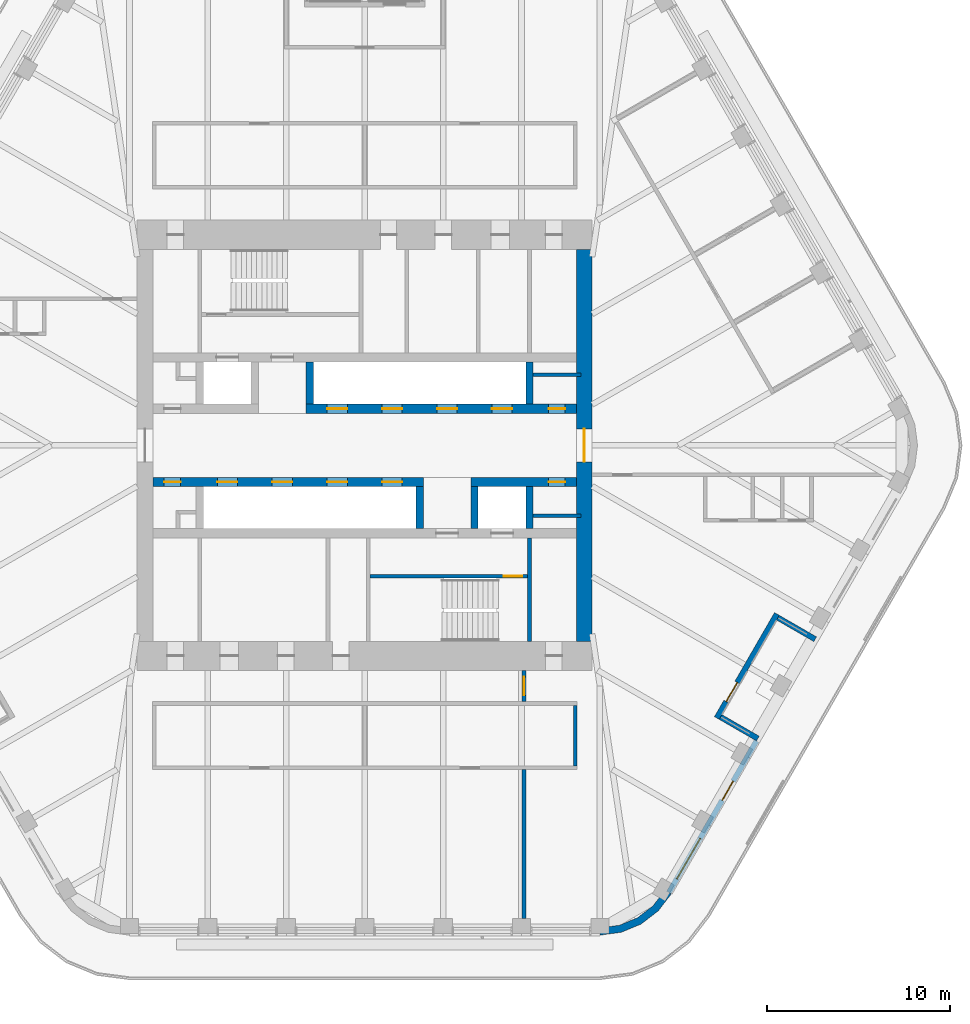
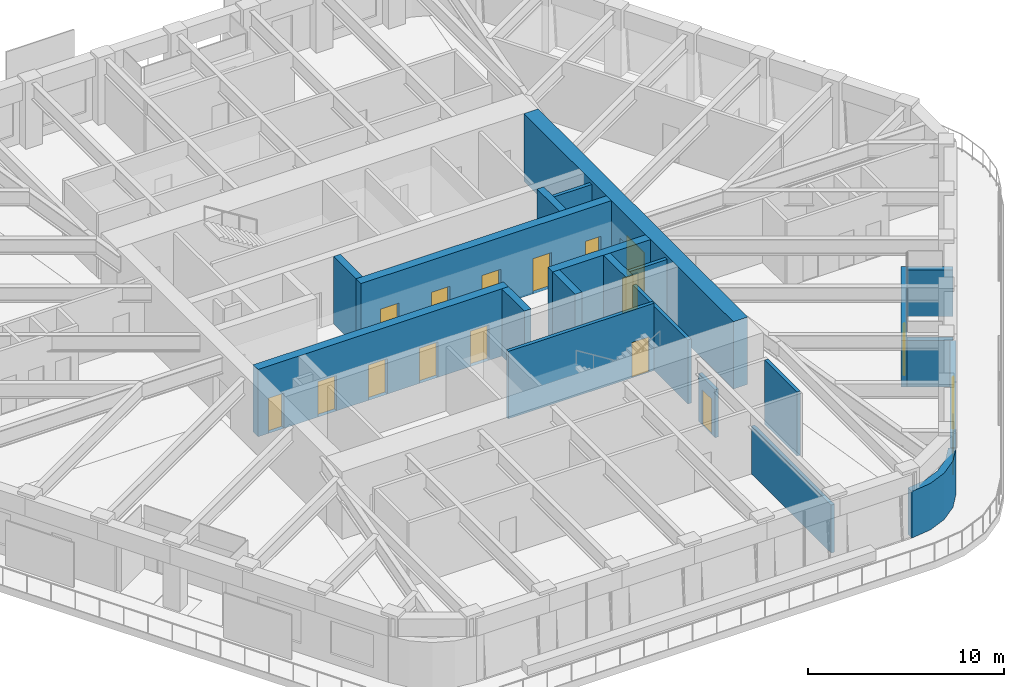
# One storey, part 14 of 19: 21 walls, 16 doors, 1 window, 17 openings.
"""IFC4 building model written with IfcOpenShell, lengths in metres."""

from ifc_helpers import new_model, si_unit, direction, frame, frame_2d, origin, place, context, subcontext, project, spatial, polyline, rectangle, outline, extrude, material, layer, layer_set, type_object, element, fill, save


model = new_model("IFC4")

# Units and contexts
model_context = context("Model", 3, precision=1e-05, world=origin(), true_north=direction((0.0, 1.0)))
body_context = subcontext(model_context, "Body", "Model", "MODEL_VIEW")
ifc_project = project(units=[si_unit("LENGTHUNIT", "METRE"), si_unit("AREAUNIT", "SQUARE_METRE"), si_unit("VOLUMEUNIT", "CUBIC_METRE"), si_unit("PLANEANGLEUNIT", "RADIAN"), si_unit("MASSUNIT", "GRAM", prefix="KILO")], contexts=[model_context])

# Site, building, storey
site_placement = place(None, origin())
site = spatial("IfcSite", under=ifc_project, at=site_placement, CompositionType="ELEMENT")
building_placement = place(site_placement, origin())
building = spatial("IfcBuilding", under=site, at=building_placement, Name="Tarfa Lantern Tower", CompositionType="ELEMENT")
storey_placement = place(building_placement, frame((0.0, 0.0, 340.89990234375)))
storey = spatial("IfcBuildingStorey", under=building, at=storey_placement, Name="L77", CompositionType="ELEMENT", Elevation=340.89990234375)

# Wall, openings, door, window
ifc_material_1 = material(Name="Limestone cladding on blockwork", Category="masonry")
ifc_layer_1 = layer(ifc_material_1, 0.300048828125)
ifc_layer_set_1 = layer_set([ifc_layer_1], Name="EW1 STONE-CLAD WALL 300")
wall_type_1 = type_object("IfcWallType", Name="EW1 STONE-CLAD WALL 300", PredefinedType="SOLIDWALL", material=ifc_layer_set_1)
wall_1_placement = place(storey_placement, frame((16.61328125, -24.425048828125, 0.0), z_axis=(0.0, 0.0, 1.0), x_axis=(0.499996453679, 0.866027451244, 0.0)))
wall_1 = element("IfcWall", 1, at=wall_1_placement, inside=storey, type_object=wall_type_1, Name="Stone wall SE", PredefinedType="SOLIDWALL", context=body_context, shape_type="SweptSolid", body=[
    extrude(rectangle(XDim=9.56396484375, YDim=0.300048828125, at=frame_2d((4.781982421875, 0.0))), origin(), (0.0, 0.0, 1.0), 2.900146484375),
])
opening_1_placement = place(wall_1_placement, frame((0.865966796875, 0.0, 0.60009765625)))
opening_1 = element("IfcOpeningElement", 2, at=opening_1_placement, cuts=wall_1, Name="Opening W17", PredefinedType="OPENING", context=body_context, shape_type="SweptSolid", body=[
    extrude(rectangle(XDim=2.550048828125, YDim=2.050048828125, at=frame_2d((1.27490234375, 1.02490234375))), frame((0.0, 0.159912109375, 0.0), z_axis=(0.0, -1.0, 0.0), x_axis=(1.0, 0.0, 0.0)), (0.0, 0.0, 1.0), 0.320068359375),
])
opening_2_placement = place(wall_1_placement, frame((5.822998046875, 0.0, 0.0)))
opening_2 = element("IfcOpeningElement", 3, at=opening_2_placement, cuts=wall_1, Name="Opening D40", PredefinedType="OPENING", context=body_context, shape_type="SweptSolid", body=[
    extrude(rectangle(XDim=1.199951171875, YDim=2.39990234375, at=frame_2d((0.60009765625, 1.199951171875))), frame((0.0, 0.159912109375, 0.0), z_axis=(0.0, -1.0, 0.0), x_axis=(1.0, 0.0, 0.0)), (0.0, 0.0, 1.0), 0.320068359375),
])
ifc_material_2 = material(Name="Aluminium framed glazed door", Category="aluminium")
door_type_1 = type_object("IfcDoorType", Name="BE3 BALCONY DOOR 1200x2400", OperationType="SINGLE_SWING_RIGHT", PredefinedType="DOOR", material=ifc_material_2)
door_1_placement = place(opening_2_placement, origin())
door_1 = element("IfcDoor", 4, at=door_1_placement, inside=storey, type_object=door_type_1, Name="Balcony door SE", OperationType="SINGLE_SWING_LEFT", OverallHeight=2.39990234375, OverallWidth=1.199951171875, PredefinedType="DOOR", context=body_context, shape_type="SweptSolid", body=[
    extrude(rectangle(XDim=1.199951171875, YDim=2.39990234375, at=frame_2d((0.60009765625, 1.199951171875))), frame((0.0, 0.02490234375, 0.0), z_axis=(0.0, -1.0, 0.0), x_axis=(1.0, 0.0, 0.0)), (0.0, 0.0, 1.0), 0.050048828125),
])
fill(opening_2, door_1)
ifc_material_3 = material(Name="Aluminium frame, double glazed", Category="aluminium")
window_type = type_object("IfcWindowType", Name="W17 FULL-HEIGHT GLAZING 2550x2050", PartitioningType="SINGLE_PANEL", PredefinedType="WINDOW", material=ifc_material_3)
window_placement = place(opening_1_placement, origin())
window = element("IfcWindow", 5, at=window_placement, inside=storey, type_object=window_type, Name="Window SE 1", OverallHeight=2.050048828125, OverallWidth=2.550048828125, PartitioningType="SINGLE_PANEL", PredefinedType="WINDOW", context=body_context, shape_type="SweptSolid", body=[
    extrude(rectangle(XDim=2.550048828125, YDim=2.050048828125, at=frame_2d((1.27490234375, 1.02490234375))), frame((0.0, 0.030029296875, 0.0), z_axis=(0.0, -1.0, 0.0), x_axis=(1.0, 0.0, 0.0)), (0.0, 0.0, 1.0), 0.06005859375),
])
fill(opening_1, window)

# Walls
for number, where, z_axis, x_axis, name in (
    (6, (21.47021484375, -16.012451171875, 0.0), (0.0, 0.0, 1.0), (-0.866016039709, 0.500016218704, 0.0), "Terrace return SE 1"),
    (7, (24.602294921875, -10.587646484375, 0.0), (0.0, 0.0, 1.0), (-0.866016039709, 0.500016218704, 0.0), "Terrace return SE 2"),
):
    element("IfcWall", number, at=place(storey_placement, frame(where, z_axis=z_axis, x_axis=x_axis)), inside=storey, type_object=wall_type_1, Name=name, PredefinedType="SOLIDWALL", context=body_context, shape_type="SweptSolid", body=[
        extrude(rectangle(XDim=2.35009765625, YDim=0.300048828125, at=frame_2d((1.175048828125, 0.0))), origin(), (0.0, 0.0, 1.0), 2.900146484375),
    ])

# Wall, opening, door
wall_2_placement = place(storey_placement, frame((19.230224609375, -14.892333984375, 0.0), z_axis=(0.0, 0.0, 1.0), x_axis=(0.499999339774, 0.866025784966, 0.0)))
wall_2 = element("IfcWall", 8, at=wall_2_placement, inside=storey, type_object=wall_type_1, Name="Stone wall SES", PredefinedType="SOLIDWALL", context=body_context, shape_type="SweptSolid", body=[
    extrude(rectangle(XDim=6.56396484375, YDim=0.300048828125, at=frame_2d((3.281982421875, 0.0))), origin(), (0.0, 0.0, 1.0), 2.900146484375),
])
opening_3_placement = place(wall_2_placement, frame((1.041015625, 0.0, 0.0)))
opening_3 = element("IfcOpeningElement", 9, at=opening_3_placement, cuts=wall_2, Name="Opening D41", PredefinedType="OPENING", context=body_context, shape_type="SweptSolid", body=[
    extrude(rectangle(XDim=1.199951171875, YDim=2.39990234375, at=frame_2d((0.60009765625, 1.199951171875))), frame((0.0, 0.159912109375, 0.0), z_axis=(0.0, -1.0, 0.0), x_axis=(1.0, 0.0, 0.0)), (0.0, 0.0, 1.0), 0.320068359375),
])
door_2_placement = place(opening_3_placement, origin())
door_2 = element("IfcDoor", 10, at=door_2_placement, inside=storey, type_object=door_type_1, Name="Balcony door SES", OperationType="SINGLE_SWING_RIGHT", OverallHeight=2.39990234375, OverallWidth=1.199951171875, PredefinedType="DOOR", context=body_context, shape_type="SweptSolid", body=[
    extrude(rectangle(XDim=1.199951171875, YDim=2.39990234375, at=frame_2d((0.60009765625, 1.199951171875))), frame((0.0, 0.02490234375, 0.0), z_axis=(0.0, -1.0, 0.0), x_axis=(1.0, 0.0, 0.0)), (0.0, 0.0, 1.0), 0.050048828125),
])
fill(opening_3, door_2)

# Walls
ifc_layer_2 = layer(ifc_material_1, 0.39990234375)
ifc_layer_set_2 = layer_set([ifc_layer_2], Name="EW2 CURVED STONE CORNER 400")
wall_type_2 = type_object("IfcWallType", Name="EW2 CURVED STONE CORNER 400", PredefinedType="SOLIDWALL", material=ifc_layer_set_2)
wall_3_placement = place(storey_placement, origin())
element("IfcWall", 11, at=wall_3_placement, inside=storey, type_object=wall_type_2, Name="Stone corner S-SE", PredefinedType="SOLIDWALL", context=body_context, shape_type="SweptSolid", body=[
    extrude(outline(polyline([(12.845947265625, -26.75), (14.0107421875, -26.5966796875), (15.095947265625, -26.147216796875), (16.028076171875, -25.431884765625), (16.7431640625, -24.5), (16.396728515625, -24.300048828125), (15.7451171875, -25.149169921875), (14.89599609375, -25.80078125), (13.9072265625, -26.210205078125), (12.845947265625, -26.35009765625), (12.845947265625, -26.75)])), origin(), (0.0, 0.0, 1.0), 2.900146484375),
])
ifc_material_4 = material(Name="Concrete blockwork", Category="masonry")
ifc_layer_3 = layer(ifc_material_4, 0.199951171875)
ifc_layer_set_3 = layer_set([ifc_layer_3], Name="IW1 BLOCKWORK PARTITION 200 EI 120")
wall_type_3 = type_object("IfcWallType", Name="IW1 BLOCKWORK PARTITION 200 EI 120", PredefinedType="PARTITIONING", material=ifc_layer_set_3)
wall_4_placement = place(storey_placement, frame((9.0, -5.050048828125, 0.0), z_axis=(0.0, 0.0, 1.0), x_axis=(0.0, -1.0, 0.0)))
element("IfcWall", 12, at=wall_4_placement, inside=storey, type_object=wall_type_3, Name="Core partition", PredefinedType="PARTITIONING", context=body_context, shape_type="SweptSolid", body=[
    extrude(rectangle(XDim=5.64990234375, YDim=0.199951171875, at=frame_2d((2.824951171875, 0.0))), origin(), (0.0, 0.0, 1.0), 4.0),
])
for number, where, z_axis, x_axis, name in (
    (13, (9.199951171875, 3.85009765625, 0.0), (0.0, 0.0, 1.0), (1.0, 0.0, 0.0), "Core partition"),
    (14, (11.800048828125, -3.85009765625, 0.0), (0.0, 0.0, 1.0), (-1.0, 0.0, 0.0), "Core partition"),
):
    element("IfcWall", number, at=place(storey_placement, frame(where, z_axis=z_axis, x_axis=x_axis)), inside=storey, type_object=wall_type_3, Name=name, PredefinedType="PARTITIONING", context=body_context, shape_type="SweptSolid", body=[
        extrude(rectangle(XDim=2.60009765625, YDim=0.199951171875, at=frame_2d((1.300048828125, 0.0))), origin(), (0.0, 0.0, 1.0), 4.0),
    ])
ifc_material_5 = material(Name="Gypsum board on steel studs", Category="steel")
ifc_layer_4 = layer(ifc_material_5, 0.2099609375)
ifc_layer_set_4 = layer_set([ifc_layer_4], Name="IW2 ACOUSTIC PARTITION 200")
wall_type_4 = type_object("IfcWallType", Name="IW2 ACOUSTIC PARTITION 200", PredefinedType="PARTITIONING", material=ifc_layer_set_4)
wall_5_placement = place(storey_placement, frame((11.5, -14.199951171875, 0.0), z_axis=(0.0, 0.0, 1.0), x_axis=(0.0, -1.0, 0.0)))
element("IfcWall", 15, at=wall_5_placement, inside=storey, type_object=wall_type_4, Name="Partition", PredefinedType="PARTITIONING", context=body_context, shape_type="SweptSolid", body=[
    extrude(rectangle(XDim=3.300048828125, YDim=0.199951171875, at=frame_2d((1.64990234375, 0.0))), origin(), (0.0, 0.0, 1.0), 4.0),
])

# Wall, opening, door
wall_6_placement = place(storey_placement, frame((8.699951171875, -12.300048828125, 0.0), z_axis=(0.0, 0.0, 1.0), x_axis=(0.0, -1.0, 0.0)))
wall_6 = element("IfcWall", 16, at=wall_6_placement, inside=storey, type_object=wall_type_4, Name="Partition", PredefinedType="PARTITIONING", context=body_context, shape_type="SweptSolid", body=[
    extrude(rectangle(XDim=1.699951171875, YDim=0.199951171875, at=frame_2d((0.85009765625, 0.0))), origin(), (0.0, 0.0, 1.0), 2.991943359375),
])
opening_4_placement = place(wall_6_placement, frame((0.35009765625, 0.0, 0.0)))
opening_4 = element("IfcOpeningElement", 17, at=opening_4_placement, cuts=wall_6, Name="Opening D36", PredefinedType="OPENING", context=body_context, shape_type="SweptSolid", body=[
    extrude(rectangle(XDim=1.0, YDim=2.199951171875, at=frame_2d((0.5, 1.10009765625))), frame((0.0, 0.10986328125, 0.0), z_axis=(0.0, -1.0, 0.0), x_axis=(1.0, 0.0, 0.0)), (0.0, 0.0, 1.0), 0.219970703125),
])
ifc_material_6 = material(Name="Timber door", Category="wood")
door_type_2 = type_object("IfcDoorType", Name="DR1 ROOM DOOR 1000x2200", OperationType="SINGLE_SWING_LEFT", PredefinedType="DOOR", material=ifc_material_6)
door_3_placement = place(opening_4_placement, origin())
door_3 = element("IfcDoor", 18, at=door_3_placement, inside=storey, type_object=door_type_2, Name="Zone door", OperationType="SINGLE_SWING_LEFT", OverallHeight=2.199951171875, OverallWidth=1.0, PredefinedType="DOOR", context=body_context, shape_type="SweptSolid", body=[
    extrude(rectangle(XDim=1.0, YDim=2.199951171875, at=frame_2d((0.5, 1.10009765625))), frame((0.0, 0.02490234375, 0.0), z_axis=(0.0, -1.0, 0.0), x_axis=(1.0, 0.0, 0.0)), (0.0, 0.0, 1.0), 0.050048828125),
])
fill(opening_4, door_3)

# Wall
wall_7_placement = place(storey_placement, frame((8.699951171875, -17.699951171875, 0.0), z_axis=(0.0, 0.0, 1.0), x_axis=(0.0, -1.0, 0.0)))
element("IfcWall", 19, at=wall_7_placement, inside=storey, type_object=wall_type_4, Name="Partition", PredefinedType="PARTITIONING", context=body_context, shape_type="SweptSolid", body=[
    extrude(rectangle(XDim=8.150146484375, YDim=0.199951171875, at=frame_2d((4.0751953125, 0.0))), origin(), (0.0, 0.0, 1.0), 2.991943359375),
])

# Wall, opening, door
ifc_material_7 = material(Name="Concrete C80/95", Category="concrete")
ifc_layer_5 = layer(ifc_material_7, 0.199951171875)
ifc_layer_set_5 = layer_set([ifc_layer_5], Name="SW12 CORE WALL 200")
wall_type_5 = type_object("IfcWallType", Name="SW12 CORE WALL 200", PredefinedType="SHEAR", material=ifc_layer_set_5)
wall_8_placement = place(storey_placement, frame((8.89990234375, -7.14990234375, 0.0), z_axis=(0.0, 0.0, 1.0), x_axis=(-1.0, 0.0, 0.0)))
wall_8 = element("IfcWall", 20, at=wall_8_placement, inside=storey, type_object=wall_type_5, Name="Core wall stair partition S", PredefinedType="SHEAR", context=body_context, shape_type="SweptSolid", body=[
    extrude(rectangle(XDim=8.599853515625, YDim=0.199951171875, at=frame_2d((4.2998046875, 0.0))), origin(), (0.0, 0.0, 1.0), 4.2001953125),
])
opening_5_placement = place(wall_8_placement, frame((0.300048828125, 0.0, 0.0)))
opening_5 = element("IfcOpeningElement", 21, at=opening_5_placement, cuts=wall_8, Name="Opening D20", PredefinedType="OPENING", context=body_context, shape_type="SweptSolid", body=[
    extrude(rectangle(XDim=1.0, YDim=2.199951171875, at=frame_2d((0.5, 1.10009765625))), frame((0.0, 0.10986328125, 0.0), z_axis=(0.0, -1.0, 0.0), x_axis=(1.0, 0.0, 0.0)), (0.0, 0.0, 1.0), 0.219970703125),
])
ifc_material_8 = material(Name="Steel fire door", Category="steel")
door_type_3 = type_object("IfcDoorType", Name="DF2 STAIR DOOR 1000x2200", OperationType="SINGLE_SWING_LEFT", PredefinedType="DOOR", material=ifc_material_8)
door_4_placement = place(opening_5_placement, origin())
door_4 = element("IfcDoor", 22, at=door_4_placement, inside=storey, type_object=door_type_3, Name="Stair door", OperationType="SINGLE_SWING_RIGHT", OverallHeight=2.199951171875, OverallWidth=1.0, PredefinedType="DOOR", context=body_context, shape_type="SweptSolid", body=[
    extrude(rectangle(XDim=1.0, YDim=2.199951171875, at=frame_2d((0.5, 1.10009765625))), frame((0.0, 0.02490234375, 0.0), z_axis=(0.0, -1.0, 0.0), x_axis=(1.0, 0.0, 0.0)), (0.0, 0.0, 1.0), 0.050048828125),
])
fill(opening_5, door_4)

ifc_layer_6 = layer(ifc_material_7, 0.85009765625)
ifc_layer_set_6 = layer_set([ifc_layer_6], Name="SW3 CORE WALL 850")
wall_type_6 = type_object("IfcWallType", Name="SW3 CORE WALL 850", PredefinedType="SHEAR", material=ifc_layer_set_6)
wall_9_placement = place(storey_placement, frame((12.0, -10.699951171875, 0.0), z_axis=(0.0, 0.0, 1.0), x_axis=(0.0, 1.0, 0.0)))
wall_9 = element("IfcWall", 23, at=wall_9_placement, inside=storey, type_object=wall_type_6, Name="Core wall E", PredefinedType="SHEAR", context=body_context, shape_type="SweptSolid", body=[
    extrude(rectangle(XDim=21.39990234375, YDim=0.85009765625, at=frame_2d((10.699951171875, 0.0))), origin(), (0.0, 0.0, 1.0), 4.2001953125),
])
opening_6_placement = place(wall_9_placement, frame((9.800048828125, 0.0, 0.0)))
opening_6 = element("IfcOpeningElement", 24, at=opening_6_placement, cuts=wall_9, Name="Opening D07", PredefinedType="OPENING", context=body_context, shape_type="SweptSolid", body=[
    extrude(rectangle(XDim=1.800048828125, YDim=2.39990234375, at=frame_2d((0.89990234375, 1.199951171875))), frame((0.0, 0.43505859375, 0.0), z_axis=(0.0, -1.0, 0.0), x_axis=(1.0, 0.0, 0.0)), (0.0, 0.0, 1.0), 0.8701171875),
])
door_type_4 = type_object("IfcDoorType", Name="DL1 LOBBY DOOR 1800x2400", OperationType="DOUBLE_DOOR_SINGLE_SWING", PredefinedType="DOOR", material=ifc_material_8)
door_5_placement = place(opening_6_placement, frame((1.800048828125, 0.0, 0.0), z_axis=(0.0, 0.0, 1.0), x_axis=(-1.0, 0.0, 0.0)))
door_5 = element("IfcDoor", 25, at=door_5_placement, inside=storey, type_object=door_type_4, Name="Lift lobby door", OperationType="DOUBLE_DOOR_SINGLE_SWING", OverallHeight=2.39990234375, OverallWidth=1.800048828125, PredefinedType="DOOR", context=body_context, shape_type="SweptSolid", body=[
    extrude(rectangle(XDim=1.800048828125, YDim=2.39990234375, at=frame_2d((0.89990234375, 1.199951171875))), frame((0.0, 0.02490234375, 0.0), z_axis=(0.0, -1.0, 0.0), x_axis=(1.0, 0.0, 0.0)), (0.0, 0.0, 1.0), 0.050048828125),
])
fill(opening_6, door_5)

# Wall, openings, doors
ifc_layer_7 = layer(ifc_material_7, 0.5)
ifc_layer_set_7 = layer_set([ifc_layer_7], Name="SW5 CORE WALL 500")
wall_type_7 = type_object("IfcWallType", Name="SW5 CORE WALL 500", PredefinedType="SHEAR", material=ifc_layer_set_7)
wall_10_placement = place(storey_placement, frame((-3.199951171875, 2.0, 0.0), z_axis=(0.0, 0.0, 1.0), x_axis=(1.0, 0.0, 0.0)))
wall_10 = element("IfcWall", 26, at=wall_10_placement, inside=storey, type_object=wall_type_7, Name="Core wall lobby east N", PredefinedType="SHEAR", context=body_context, shape_type="SweptSolid", body=[
    extrude(rectangle(XDim=14.77490234375, YDim=0.5, at=frame_2d((7.387451171875, 0.0))), origin(), (0.0, 0.0, 1.0), 4.2001953125),
])
opening_7_placement = place(wall_10_placement, frame((13.25, 0.0, 0.0)))
opening_7 = element("IfcOpeningElement", 27, at=opening_7_placement, cuts=wall_10, Name="Opening D09", PredefinedType="OPENING", context=body_context, shape_type="SweptSolid", body=[
    extrude(rectangle(XDim=0.89990234375, YDim=2.199951171875, at=frame_2d((0.449951171875, 1.10009765625))), frame((0.0, 0.260009765625, 0.0), z_axis=(0.0, -1.0, 0.0), x_axis=(1.0, 0.0, 0.0)), (0.0, 0.0, 1.0), 0.52001953125),
])
opening_8_placement = place(wall_10_placement, frame((1.14990234375, 0.0, 0.0)))
opening_8 = element("IfcOpeningElement", 28, at=opening_8_placement, cuts=wall_10, Name="Opening LD03", PredefinedType="OPENING", context=body_context, shape_type="SweptSolid", body=[
    extrude(rectangle(XDim=1.10009765625, YDim=2.199951171875, at=frame_2d((0.550048828125, 1.10009765625))), frame((0.0, 0.260009765625, 0.0), z_axis=(0.0, -1.0, 0.0), x_axis=(1.0, 0.0, 0.0)), (0.0, 0.0, 1.0), 0.52001953125),
])
opening_9_placement = place(wall_10_placement, frame((4.14990234375, 0.0, 0.0)))
opening_9 = element("IfcOpeningElement", 29, at=opening_9_placement, cuts=wall_10, Name="Opening LD04", PredefinedType="OPENING", context=body_context, shape_type="SweptSolid", body=[
    extrude(rectangle(XDim=1.10009765625, YDim=2.199951171875, at=frame_2d((0.550048828125, 1.10009765625))), frame((0.0, 0.260009765625, 0.0), z_axis=(0.0, -1.0, 0.0), x_axis=(1.0, 0.0, 0.0)), (0.0, 0.0, 1.0), 0.52001953125),
])
opening_10_placement = place(wall_10_placement, frame((7.14990234375, 0.0, 0.0)))
opening_10 = element("IfcOpeningElement", 30, at=opening_10_placement, cuts=wall_10, Name="Opening LD05", PredefinedType="OPENING", context=body_context, shape_type="SweptSolid", body=[
    extrude(rectangle(XDim=1.10009765625, YDim=2.199951171875, at=frame_2d((0.550048828125, 1.10009765625))), frame((0.0, 0.260009765625, 0.0), z_axis=(0.0, -1.0, 0.0), x_axis=(1.0, 0.0, 0.0)), (0.0, 0.0, 1.0), 0.52001953125),
])
opening_11_placement = place(wall_10_placement, frame((10.14990234375, 0.0, 0.0)))
opening_11 = element("IfcOpeningElement", 31, at=opening_11_placement, cuts=wall_10, Name="Opening LD06", PredefinedType="OPENING", context=body_context, shape_type="SweptSolid", body=[
    extrude(rectangle(XDim=1.10009765625, YDim=2.199951171875, at=frame_2d((0.550048828125, 1.10009765625))), frame((0.0, 0.260009765625, 0.0), z_axis=(0.0, -1.0, 0.0), x_axis=(1.0, 0.0, 0.0)), (0.0, 0.0, 1.0), 0.52001953125),
])
door_type_5 = type_object("IfcDoorType", Name="DF6 SERVICE ROOM DOOR 900x2200", OperationType="SINGLE_SWING_LEFT", PredefinedType="DOOR", material=ifc_material_8)
door_6_placement = place(opening_7_placement, origin())
door_6 = element("IfcDoor", 32, at=door_6_placement, inside=storey, type_object=door_type_5, Name="Service room door", OperationType="SINGLE_SWING_LEFT", OverallHeight=2.199951171875, OverallWidth=0.89990234375, PredefinedType="DOOR", context=body_context, shape_type="SweptSolid", body=[
    extrude(rectangle(XDim=0.89990234375, YDim=2.199951171875, at=frame_2d((0.449951171875, 1.10009765625))), frame((0.0, 0.02490234375, 0.0), z_axis=(0.0, -1.0, 0.0), x_axis=(1.0, 0.0, 0.0)), (0.0, 0.0, 1.0), 0.050048828125),
])
fill(opening_7, door_6)
ifc_material_9 = material(Name="Stainless steel lift door", Category="steel")
door_type_6 = type_object("IfcDoorType", Name="LD2 LIFT LANDING DOOR 1100x2200", OperationType="SLIDING_TO_LEFT", PredefinedType="DOOR", material=ifc_material_9)
door_7_placement = place(opening_8_placement, frame((1.10009765625, 0.0, 0.0), z_axis=(0.0, 0.0, 1.0), x_axis=(-1.0, 0.0, 0.0)))
door_7 = element("IfcDoor", 33, at=door_7_placement, inside=storey, type_object=door_type_6, Name="Landing door PD1", OperationType="SLIDING_TO_LEFT", OverallHeight=2.199951171875, OverallWidth=1.10009765625, PredefinedType="DOOR", context=body_context, shape_type="SweptSolid", body=[
    extrude(rectangle(XDim=1.10009765625, YDim=2.199951171875, at=frame_2d((0.550048828125, 1.10009765625))), frame((0.0, 0.02490234375, 0.0), z_axis=(0.0, -1.0, 0.0), x_axis=(1.0, 0.0, 0.0)), (0.0, 0.0, 1.0), 0.050048828125),
])
fill(opening_8, door_7)
door_8_placement = place(opening_9_placement, frame((1.10009765625, 0.0, 0.0), z_axis=(0.0, 0.0, 1.0), x_axis=(-1.0, 0.0, 0.0)))
door_8 = element("IfcDoor", 34, at=door_8_placement, inside=storey, type_object=door_type_6, Name="Landing door PD2", OperationType="SLIDING_TO_LEFT", OverallHeight=2.199951171875, OverallWidth=1.10009765625, PredefinedType="DOOR", context=body_context, shape_type="SweptSolid", body=[
    extrude(rectangle(XDim=1.10009765625, YDim=2.199951171875, at=frame_2d((0.550048828125, 1.10009765625))), frame((0.0, 0.02490234375, 0.0), z_axis=(0.0, -1.0, 0.0), x_axis=(1.0, 0.0, 0.0)), (0.0, 0.0, 1.0), 0.050048828125),
])
fill(opening_9, door_8)
door_9_placement = place(opening_10_placement, frame((1.10009765625, 0.0, 0.0), z_axis=(0.0, 0.0, 1.0), x_axis=(-1.0, 0.0, 0.0)))
door_9 = element("IfcDoor", 35, at=door_9_placement, inside=storey, type_object=door_type_6, Name="Landing door PD3", OperationType="SLIDING_TO_LEFT", OverallHeight=2.199951171875, OverallWidth=1.10009765625, PredefinedType="DOOR", context=body_context, shape_type="SweptSolid", body=[
    extrude(rectangle(XDim=1.10009765625, YDim=2.199951171875, at=frame_2d((0.550048828125, 1.10009765625))), frame((0.0, 0.02490234375, 0.0), z_axis=(0.0, -1.0, 0.0), x_axis=(1.0, 0.0, 0.0)), (0.0, 0.0, 1.0), 0.050048828125),
])
fill(opening_10, door_9)
door_10_placement = place(opening_11_placement, frame((1.10009765625, 0.0, 0.0), z_axis=(0.0, 0.0, 1.0), x_axis=(-1.0, 0.0, 0.0)))
door_10 = element("IfcDoor", 36, at=door_10_placement, inside=storey, type_object=door_type_6, Name="Landing door PD4", OperationType="SLIDING_TO_LEFT", OverallHeight=2.199951171875, OverallWidth=1.10009765625, PredefinedType="DOOR", context=body_context, shape_type="SweptSolid", body=[
    extrude(rectangle(XDim=1.10009765625, YDim=2.199951171875, at=frame_2d((0.550048828125, 1.10009765625))), frame((0.0, 0.02490234375, 0.0), z_axis=(0.0, -1.0, 0.0), x_axis=(1.0, 0.0, 0.0)), (0.0, 0.0, 1.0), 0.050048828125),
])
fill(opening_11, door_10)

# Wall, opening, door
wall_11_placement = place(storey_placement, frame((11.574951171875, -2.0, 0.0), z_axis=(0.0, 0.0, 1.0), x_axis=(-1.0, 0.0, 0.0)))
wall_11 = element("IfcWall", 37, at=wall_11_placement, inside=storey, type_object=wall_type_7, Name="Core wall lobby west S", PredefinedType="SHEAR", context=body_context, shape_type="SweptSolid", body=[
    extrude(rectangle(XDim=5.77490234375, YDim=0.5, at=frame_2d((2.887451171875, 0.0))), origin(), (0.0, 0.0, 1.0), 4.2001953125),
])
opening_12_placement = place(wall_11_placement, frame((0.625, 0.0, 0.0)))
opening_12 = element("IfcOpeningElement", 38, at=opening_12_placement, cuts=wall_11, Name="Opening D12", PredefinedType="OPENING", context=body_context, shape_type="SweptSolid", body=[
    extrude(rectangle(XDim=0.89990234375, YDim=2.199951171875, at=frame_2d((0.449951171875, 1.10009765625))), frame((0.0, 0.260009765625, 0.0), z_axis=(0.0, -1.0, 0.0), x_axis=(1.0, 0.0, 0.0)), (0.0, 0.0, 1.0), 0.52001953125),
])
door_11_placement = place(opening_12_placement, origin())
door_11 = element("IfcDoor", 39, at=door_11_placement, inside=storey, type_object=door_type_5, Name="Service room door", OperationType="SINGLE_SWING_RIGHT", OverallHeight=2.199951171875, OverallWidth=0.89990234375, PredefinedType="DOOR", context=body_context, shape_type="SweptSolid", body=[
    extrude(rectangle(XDim=0.89990234375, YDim=2.199951171875, at=frame_2d((0.449951171875, 1.10009765625))), frame((0.0, 0.02490234375, 0.0), z_axis=(0.0, -1.0, 0.0), x_axis=(1.0, 0.0, 0.0)), (0.0, 0.0, 1.0), 0.050048828125),
])
fill(opening_12, door_11)

# Wall, openings, doors
wall_12_placement = place(storey_placement, frame((3.199951171875, -2.0, 0.0), z_axis=(0.0, 0.0, 1.0), x_axis=(-1.0, 0.0, 0.0)))
wall_12 = element("IfcWall", 40, at=wall_12_placement, inside=storey, type_object=wall_type_7, Name="Core wall lobby east S", PredefinedType="SHEAR", context=body_context, shape_type="SweptSolid", body=[
    extrude(rectangle(XDim=14.77490234375, YDim=0.5, at=frame_2d((7.387451171875, 0.0))), origin(), (0.0, 0.0, 1.0), 4.2001953125),
])
opening_13_placement = place(wall_12_placement, frame((13.25, 0.0, 0.0)))
opening_13 = element("IfcOpeningElement", 41, at=opening_13_placement, cuts=wall_12, Name="Opening D10", PredefinedType="OPENING", context=body_context, shape_type="SweptSolid", body=[
    extrude(rectangle(XDim=0.89990234375, YDim=2.199951171875, at=frame_2d((0.449951171875, 1.10009765625))), frame((0.0, 0.260009765625, 0.0), z_axis=(0.0, -1.0, 0.0), x_axis=(1.0, 0.0, 0.0)), (0.0, 0.0, 1.0), 0.52001953125),
])
opening_14_placement = place(wall_12_placement, frame((1.14990234375, 0.0, 0.0)))
opening_14 = element("IfcOpeningElement", 42, at=opening_14_placement, cuts=wall_12, Name="Opening LD07", PredefinedType="OPENING", context=body_context, shape_type="SweptSolid", body=[
    extrude(rectangle(XDim=1.10009765625, YDim=2.199951171875, at=frame_2d((0.550048828125, 1.10009765625))), frame((0.0, 0.260009765625, 0.0), z_axis=(0.0, -1.0, 0.0), x_axis=(1.0, 0.0, 0.0)), (0.0, 0.0, 1.0), 0.52001953125),
])
opening_15_placement = place(wall_12_placement, frame((4.14990234375, 0.0, 0.0)))
opening_15 = element("IfcOpeningElement", 43, at=opening_15_placement, cuts=wall_12, Name="Opening LD08", PredefinedType="OPENING", context=body_context, shape_type="SweptSolid", body=[
    extrude(rectangle(XDim=1.10009765625, YDim=2.199951171875, at=frame_2d((0.550048828125, 1.10009765625))), frame((0.0, 0.260009765625, 0.0), z_axis=(0.0, -1.0, 0.0), x_axis=(1.0, 0.0, 0.0)), (0.0, 0.0, 1.0), 0.52001953125),
])
opening_16_placement = place(wall_12_placement, frame((7.14990234375, 0.0, 0.0)))
opening_16 = element("IfcOpeningElement", 44, at=opening_16_placement, cuts=wall_12, Name="Opening LD09", PredefinedType="OPENING", context=body_context, shape_type="SweptSolid", body=[
    extrude(rectangle(XDim=1.10009765625, YDim=2.199951171875, at=frame_2d((0.550048828125, 1.10009765625))), frame((0.0, 0.260009765625, 0.0), z_axis=(0.0, -1.0, 0.0), x_axis=(1.0, 0.0, 0.0)), (0.0, 0.0, 1.0), 0.52001953125),
])
opening_17_placement = place(wall_12_placement, frame((10.14990234375, 0.0, 0.0)))
opening_17 = element("IfcOpeningElement", 45, at=opening_17_placement, cuts=wall_12, Name="Opening LD10", PredefinedType="OPENING", context=body_context, shape_type="SweptSolid", body=[
    extrude(rectangle(XDim=1.10009765625, YDim=2.199951171875, at=frame_2d((0.550048828125, 1.10009765625))), frame((0.0, 0.260009765625, 0.0), z_axis=(0.0, -1.0, 0.0), x_axis=(1.0, 0.0, 0.0)), (0.0, 0.0, 1.0), 0.52001953125),
])
door_12_placement = place(opening_13_placement, origin())
door_12 = element("IfcDoor", 46, at=door_12_placement, inside=storey, type_object=door_type_5, Name="Service room door", OperationType="SINGLE_SWING_LEFT", OverallHeight=2.199951171875, OverallWidth=0.89990234375, PredefinedType="DOOR", context=body_context, shape_type="SweptSolid", body=[
    extrude(rectangle(XDim=0.89990234375, YDim=2.199951171875, at=frame_2d((0.449951171875, 1.10009765625))), frame((0.0, 0.02490234375, 0.0), z_axis=(0.0, -1.0, 0.0), x_axis=(1.0, 0.0, 0.0)), (0.0, 0.0, 1.0), 0.050048828125),
])
fill(opening_13, door_12)
door_13_placement = place(opening_14_placement, frame((1.10009765625, 0.0, 0.0), z_axis=(0.0, 0.0, 1.0), x_axis=(-1.0, 0.0, 0.0)))
door_13 = element("IfcDoor", 47, at=door_13_placement, inside=storey, type_object=door_type_6, Name="Landing door PD5", OperationType="SLIDING_TO_LEFT", OverallHeight=2.199951171875, OverallWidth=1.10009765625, PredefinedType="DOOR", context=body_context, shape_type="SweptSolid", body=[
    extrude(rectangle(XDim=1.10009765625, YDim=2.199951171875, at=frame_2d((0.550048828125, 1.10009765625))), frame((0.0, 0.02490234375, 0.0), z_axis=(0.0, -1.0, 0.0), x_axis=(1.0, 0.0, 0.0)), (0.0, 0.0, 1.0), 0.050048828125),
])
fill(opening_14, door_13)
door_14_placement = place(opening_15_placement, frame((1.10009765625, 0.0, 0.0), z_axis=(0.0, 0.0, 1.0), x_axis=(-1.0, 0.0, 0.0)))
door_14 = element("IfcDoor", 48, at=door_14_placement, inside=storey, type_object=door_type_6, Name="Landing door PD6", OperationType="SLIDING_TO_LEFT", OverallHeight=2.199951171875, OverallWidth=1.10009765625, PredefinedType="DOOR", context=body_context, shape_type="SweptSolid", body=[
    extrude(rectangle(XDim=1.10009765625, YDim=2.199951171875, at=frame_2d((0.550048828125, 1.10009765625))), frame((0.0, 0.02490234375, 0.0), z_axis=(0.0, -1.0, 0.0), x_axis=(1.0, 0.0, 0.0)), (0.0, 0.0, 1.0), 0.050048828125),
])
fill(opening_15, door_14)
door_15_placement = place(opening_16_placement, frame((1.10009765625, 0.0, 0.0), z_axis=(0.0, 0.0, 1.0), x_axis=(-1.0, 0.0, 0.0)))
door_15 = element("IfcDoor", 49, at=door_15_placement, inside=storey, type_object=door_type_6, Name="Landing door PD7", OperationType="SLIDING_TO_LEFT", OverallHeight=2.199951171875, OverallWidth=1.10009765625, PredefinedType="DOOR", context=body_context, shape_type="SweptSolid", body=[
    extrude(rectangle(XDim=1.10009765625, YDim=2.199951171875, at=frame_2d((0.550048828125, 1.10009765625))), frame((0.0, 0.02490234375, 0.0), z_axis=(0.0, -1.0, 0.0), x_axis=(1.0, 0.0, 0.0)), (0.0, 0.0, 1.0), 0.050048828125),
])
fill(opening_16, door_15)
door_16_placement = place(opening_17_placement, frame((1.10009765625, 0.0, 0.0), z_axis=(0.0, 0.0, 1.0), x_axis=(-1.0, 0.0, 0.0)))
door_16 = element("IfcDoor", 50, at=door_16_placement, inside=storey, type_object=door_type_6, Name="Landing door PD8", OperationType="SLIDING_TO_LEFT", OverallHeight=2.199951171875, OverallWidth=1.10009765625, PredefinedType="DOOR", context=body_context, shape_type="SweptSolid", body=[
    extrude(rectangle(XDim=1.10009765625, YDim=2.199951171875, at=frame_2d((0.550048828125, 1.10009765625))), frame((0.0, 0.02490234375, 0.0), z_axis=(0.0, -1.0, 0.0), x_axis=(1.0, 0.0, 0.0)), (0.0, 0.0, 1.0), 0.050048828125),
])
fill(opening_17, door_16)

# Walls
ifc_layer_8 = layer(ifc_material_7, 0.39990234375)
ifc_layer_set_8 = layer_set([ifc_layer_8], Name="SW6 CORE WALL 400")
wall_type_8 = type_object("IfcWallType", Name="SW6 CORE WALL 400", PredefinedType="SHEAR", material=ifc_layer_set_8)
for number, where, z_axis, x_axis, name in (
    (51, (-3.0, 2.25, 0.0), (0.0, 0.0, 1.0), (0.0, 1.0, 0.0), "Core wall divider N"),
    (52, (9.0, 2.25, 0.0), (0.0, 0.0, 1.0), (0.0, 1.0, 0.0), "Core wall divider N"),
    (53, (9.0, -2.25, 0.0), (0.0, 0.0, 1.0), (0.0, -1.0, 0.0), "Core wall divider S"),
    (54, (6.0, -2.25, 0.0), (0.0, 0.0, 1.0), (0.0, -1.0, 0.0), "Core wall divider S"),
    (55, (3.0, -2.25, 0.0), (0.0, 0.0, 1.0), (0.0, -1.0, 0.0), "Core wall divider S"),
):
    element("IfcWall", number, at=place(storey_placement, frame(where, z_axis=z_axis, x_axis=x_axis)), inside=storey, type_object=wall_type_8, Name=name, PredefinedType="SHEAR", context=body_context, shape_type="SweptSolid", body=[
        extrude(rectangle(XDim=2.300048828125, YDim=0.39990234375, at=frame_2d((1.14990234375, 0.0))), origin(), (0.0, 0.0, 1.0), 4.2001953125),
    ])

save(model, "model.ifc")
